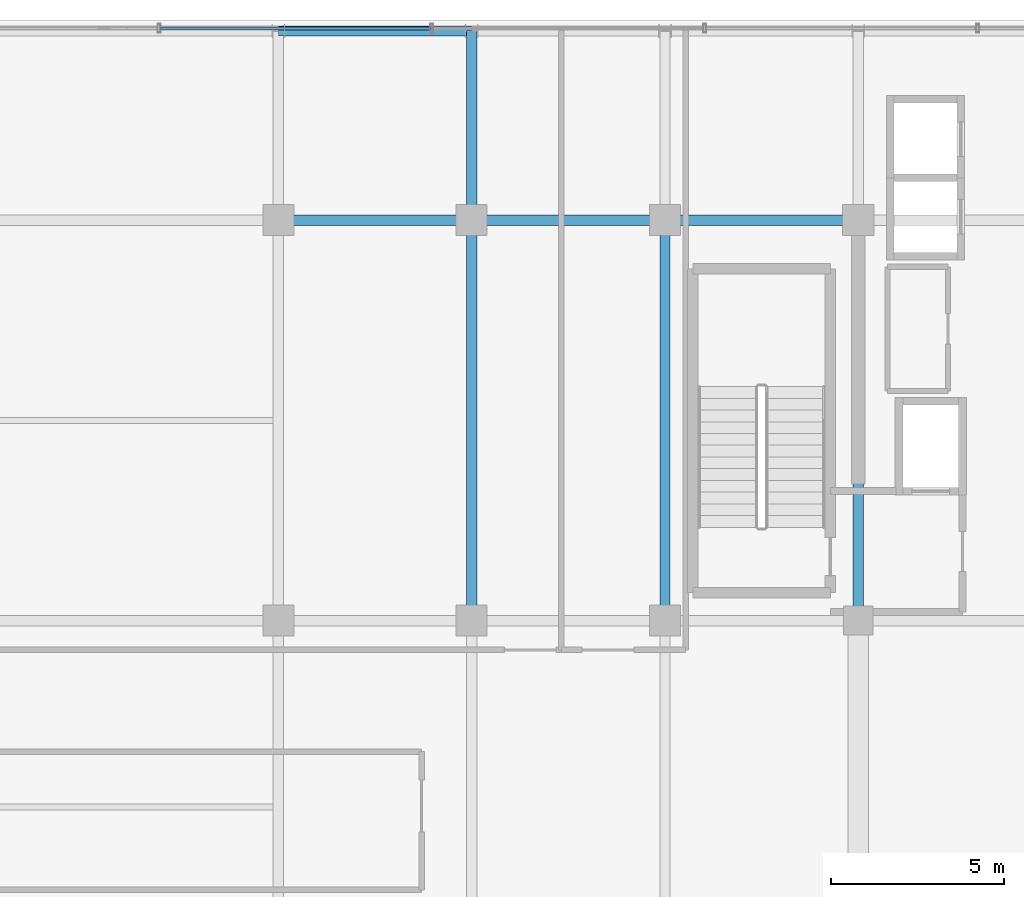
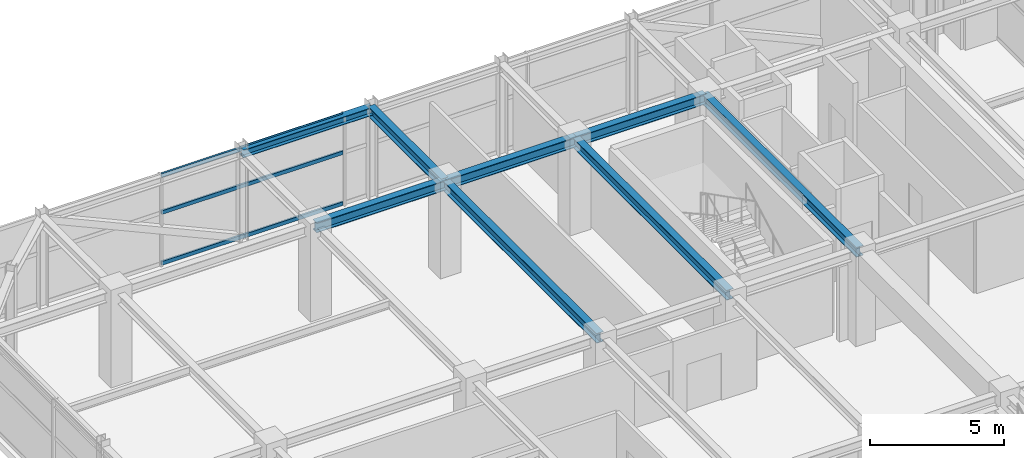
# One storey, part 13 of 26: 8 beams, 3 members, 1 element without a shape of its own.
"""IFC4 building model written with IfcOpenShell, lengths in metres."""

from ifc_helpers import new_model, si_unit, direction, frame, origin, origin_2d, place, context, subcontext, project, spatial, hollow_rectangle, i_section, extrude, source, transform, mapped, material, material_profile, profile_set, type_object, element, aggregate, save


model = new_model("IFC4")

# Units and contexts
model_context = context("Model", 3, precision=1e-05, world=origin(), true_north=direction((0.0, 1.0)))
body_context = subcontext(model_context, "Body", "Model", "MODEL_VIEW")
ifc_project = project(units=[si_unit("LENGTHUNIT", "METRE"), si_unit("AREAUNIT", "SQUARE_METRE"), si_unit("VOLUMEUNIT", "CUBIC_METRE"), si_unit("PLANEANGLEUNIT", "RADIAN"), si_unit("MASSUNIT", "GRAM", prefix="KILO")], contexts=[model_context])

# Site, building, storey
site_placement = place(None, origin())
site = spatial("IfcSite", under=ifc_project, at=site_placement, CompositionType="ELEMENT")
building_placement = place(site_placement, origin())
building = spatial("IfcBuilding", under=site, at=building_placement, Name="Nahalor Promenade Grand Hotel", CompositionType="ELEMENT")
storey_placement = place(building_placement, frame((0.0, 0.0, 343.050048828125)))
storey = spatial("IfcBuildingStorey", under=building, at=storey_placement, Name="L88", CompositionType="ELEMENT", Elevation=343.050048828125)

# Beams
ifc_material_1 = material(Name="Steel S355JR", Category="steel")
ifc_material_profile_1 = material_profile(ifc_material_1, i_section(OverallWidth=0.3, OverallDepth=0.45, WebThickness=0.014, FlangeThickness=0.026, at=origin_2d()), Name="HEB 450")
ifc_profile_set_1 = profile_set([ifc_material_profile_1], Name="Steel S355JR")
beam_type_1 = type_object("IfcBeamType", Name="Beam-Girder-HEB450", PredefinedType="BEAM", material=ifc_profile_set_1)
shared_shape_1 = source(origin(), body_context, "Body", "SweptSolid", [
    extrude(i_section(OverallWidth=0.3, OverallDepth=0.45, WebThickness=0.014, FlangeThickness=0.026, at=origin_2d()), origin(), (0.0, 0.0, 1.0), 5.599853515625),
])
for number, where, z_axis, x_axis, name in (
    (1, (-8.39990234375, 17.0, 3.945068359375), (1.0, 0.0, 0.0), (0.0, 1.0, 0.0), "BM-L88-GX-3-2"),
    (2, (2.800048828125, 17.0, 3.945068359375), (1.0, 0.0, 0.0), (0.0, 1.0, 0.0), "BM-L88-GX-3-4"),
):
    element("IfcBeam", number, at=place(storey_placement, frame(where, z_axis=z_axis, x_axis=x_axis)), inside=storey, type_object=beam_type_1, Name=name, PredefinedType="BEAM", context=body_context, shape_type="MappedRepresentation", body=[
        mapped(shared_shape_1, transform((0.0, 0.0, 0.0), scale=1.0)),
    ])
shared_shape_2 = source(origin(), body_context, "Body", "SweptSolid", [
    extrude(i_section(OverallWidth=0.3, OverallDepth=0.45, WebThickness=0.014, FlangeThickness=0.026, at=origin_2d()), origin(), (0.0, 0.0, 1.0), 5.60009765625),
])
beam_1_placement = place(storey_placement, frame((-2.800048828125, 17.0, 3.945068359375), z_axis=(1.0, 0.0, 0.0), x_axis=(0.0, 1.0, 0.0)))
element("IfcBeam", 3, at=beam_1_placement, inside=storey, type_object=beam_type_1, Name="BM-L88-GX-3-3", PredefinedType="BEAM", context=body_context, shape_type="MappedRepresentation", body=[
    mapped(shared_shape_2, transform((0.0, 0.0, 0.0), scale=1.0)),
])
shared_shape_3 = source(origin(), body_context, "Body", "SweptSolid", [
    extrude(i_section(OverallWidth=0.3, OverallDepth=0.45, WebThickness=0.014, FlangeThickness=0.026, at=origin_2d()), origin(), (0.0, 0.0, 1.0), 11.60009765625),
])
for number, where, z_axis, x_axis, name in (
    (4, (-2.800048828125, 5.39990234375, 3.945068359375), (0.0, 1.0, 0.0), (-1.0, 0.0, 0.0), "BM-L88-GY-2-3"),
    (5, (2.800048828125, 5.39990234375, 3.945068359375), (0.0, 1.0, 0.0), (-1.0, 0.0, 0.0), "BM-L88-GY-3-3"),
    (6, (8.39990234375, 5.39990234375, 3.945068359375), (0.0, 1.0, 0.0), (-1.0, 0.0, 0.0), "BM-L88-GY-4-3"),
):
    element("IfcBeam", number, at=place(storey_placement, frame(where, z_axis=z_axis, x_axis=x_axis)), inside=storey, type_object=beam_type_1, Name=name, PredefinedType="BEAM", context=body_context, shape_type="MappedRepresentation", body=[
        mapped(shared_shape_3, transform((0.0, 0.0, 0.0), scale=1.0)),
    ])
shared_shape_4 = source(origin(), body_context, "Body", "SweptSolid", [
    extrude(i_section(OverallWidth=0.3, OverallDepth=0.45, WebThickness=0.014, FlangeThickness=0.026, at=origin_2d()), origin(), (0.0, 0.0, 1.0), 5.47998046875),
])
beam_2_placement = place(storey_placement, frame((-2.800048828125, 17.0, 3.945068359375), z_axis=(0.0, 1.0, 0.0), x_axis=(-1.0, 0.0, 0.0)))
element("IfcBeam", 7, at=beam_2_placement, inside=storey, type_object=beam_type_1, Name="BM-L88-GY-2-4", PredefinedType="BEAM", context=body_context, shape_type="MappedRepresentation", body=[
    mapped(shared_shape_4, transform((0.0, 0.0, 0.0), scale=1.0)),
])
ifc_material_profile_2 = material_profile(ifc_material_1, i_section(OverallWidth=0.3, OverallDepth=0.36, WebThickness=0.0125, FlangeThickness=0.0225, at=origin_2d()), Name="HEB 360")
ifc_profile_set_2 = profile_set([ifc_material_profile_2], Name="Steel S355JR")
beam_type_2 = type_object("IfcBeamType", Name="Beam-Spandrel-HEB360", PredefinedType="SPANDREL", material=ifc_profile_set_2)
shared_shape_5 = source(origin(), body_context, "Body", "SweptSolid", [
    extrude(i_section(OverallWidth=0.3, OverallDepth=0.36, WebThickness=0.0125, FlangeThickness=0.0225, at=origin_2d()), origin(), (0.0, 0.0, 1.0), 5.599853515625),
])
beam_3_placement = place(storey_placement, frame((-8.39990234375, 22.47998046875, 3.989990234375), z_axis=(1.0, 0.0, 0.0), x_axis=(0.0, 1.0, 0.0)))
element("IfcBeam", 8, at=beam_3_placement, inside=storey, type_object=beam_type_2, Name="BM-L88-SP-N-1", PredefinedType="SPANDREL", context=body_context, shape_type="MappedRepresentation", body=[
    mapped(shared_shape_5, transform((0.0, 0.0, 0.0), scale=1.0)),
])

# Curtain wall, members
ifc_material_2 = material(Name="Anodised Bronze Aluminium EN AW-6063 T6", Category="aluminium")
curtain_wall_type = type_object("IfcCurtainWallType", Name="CW5 Sky-Lobby & Observation Panoramic Curtain Wall", PredefinedType="USERDEFINED", material=ifc_material_2)
curtain_wall_placement = place(storey_placement, origin())
curtain_wall = element("IfcCurtainWall", 9, at=curtain_wall_placement, inside=storey, type_object=curtain_wall_type, Name="L88 Curtain Wall CW-L88-N-1", ObjectType="UNITISED_CURTAIN_WALL", PredefinedType="USERDEFINED")
ifc_material_profile_3 = material_profile(ifc_material_2, hollow_rectangle(XDim=0.085, YDim=0.17, WallThickness=0.005, at=origin_2d()), Name="CWT 85x170x5")
ifc_profile_set_3 = profile_set([ifc_material_profile_3], Name="Anodised Bronze Aluminium EN AW-6063 T6")
member_type = type_object("IfcMemberType", Name="CWT5 Panoramic Transom 85x170", PredefinedType="USERDEFINED", material=ifc_profile_set_3)
shared_shape_6 = source(origin(), body_context, "Body", "SweptSolid", [
    extrude(hollow_rectangle(XDim=0.085, YDim=0.17, WallThickness=0.005, at=origin_2d()), origin(), (0.0, 0.0, 1.0), 7.819091796875),
])
member_1_placement = place(storey_placement, frame((-11.8134765625, 22.56005859375, 0.0849609375), z_axis=(1.0, 0.0, 0.0), x_axis=(0.0, 1.0, 0.0)))
member_1 = element("IfcMember", 10, at=member_1_placement, type_object=member_type, Name="CW-L88-N-1 Transom 1-0", ObjectType="TRANSOM", PredefinedType="USERDEFINED", context=body_context, shape_type="MappedRepresentation", body=[
    mapped(shared_shape_6, transform((0.0, 0.0, 0.0), scale=1.0)),
])
member_2_placement = place(storey_placement, frame((-11.8134765625, 22.56005859375, 2.39990234375), z_axis=(1.0, 0.0, 0.0), x_axis=(0.0, 1.0, 0.0)))
member_2 = element("IfcMember", 11, at=member_2_placement, type_object=member_type, Name="CW-L88-N-1 Transom 1-1", ObjectType="TRANSOM", PredefinedType="USERDEFINED", context=body_context, shape_type="MappedRepresentation", body=[
    mapped(shared_shape_6, transform((0.0, 0.0, 0.0), scale=1.0)),
])
member_3_placement = place(storey_placement, frame((-11.8134765625, 22.56005859375, 4.0849609375), z_axis=(1.0, 0.0, 0.0), x_axis=(0.0, 1.0, 0.0)))
member_3 = element("IfcMember", 12, at=member_3_placement, type_object=member_type, Name="CW-L88-N-1 Transom 1-2", ObjectType="TRANSOM", PredefinedType="USERDEFINED", context=body_context, shape_type="MappedRepresentation", body=[
    mapped(shared_shape_6, transform((0.0, 0.0, 0.0), scale=1.0)),
])
aggregate(curtain_wall, [member_1, member_2, member_3])

save(model, "model.ifc")
